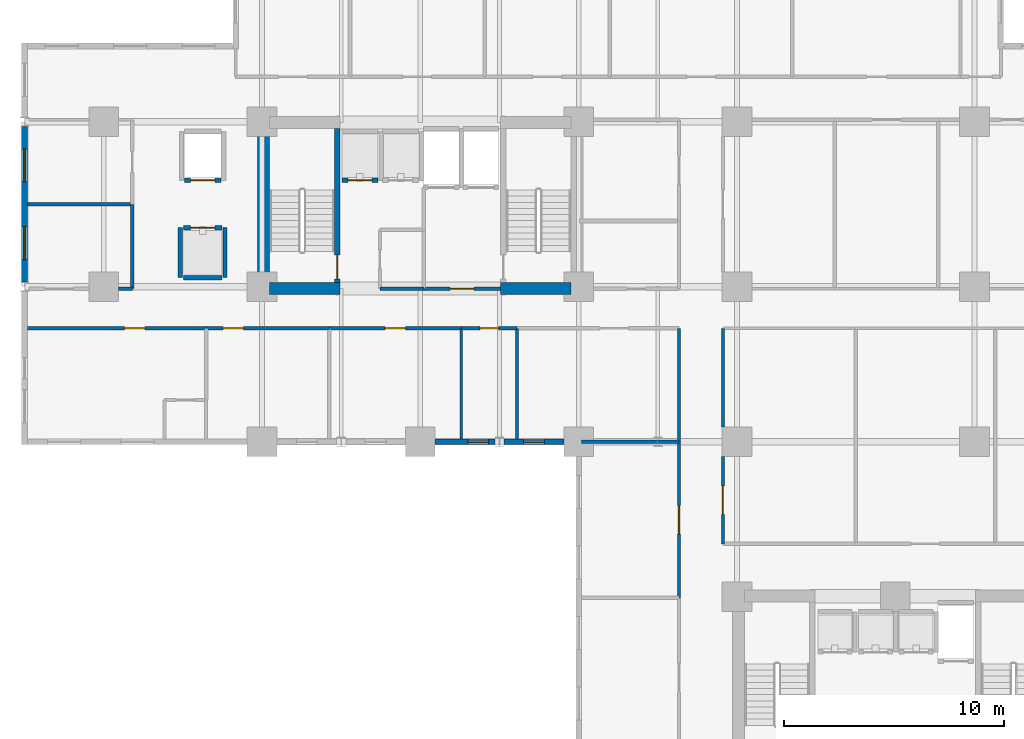
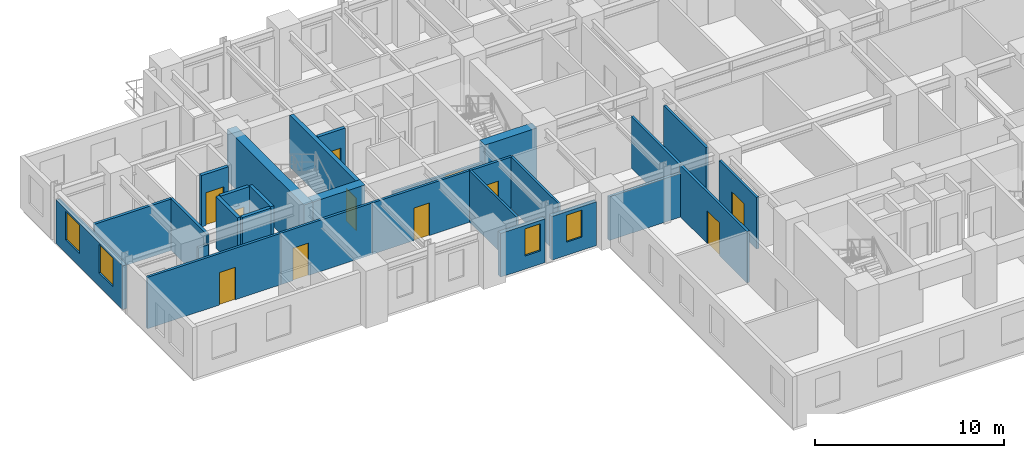
# One storey, part 3 of 12: 29 walls, 11 doors, 4 windows, 15 openings.
"""IFC4 building model written with IfcOpenShell, lengths in metres."""

from ifc_helpers import new_model, si_unit, direction, frame, frame_2d, origin, place, context, subcontext, project, spatial, rectangle, extrude, material, layer, layer_set, type_object, element, fill, save


model = new_model("IFC4")

# Units and contexts
model_context = context("Model", 3, precision=1e-05, world=origin(), true_north=direction((0.0, 1.0)))
body_context = subcontext(model_context, "Body", "Model", "MODEL_VIEW")
ifc_project = project(units=[si_unit("LENGTHUNIT", "METRE"), si_unit("AREAUNIT", "SQUARE_METRE"), si_unit("VOLUMEUNIT", "CUBIC_METRE"), si_unit("PLANEANGLEUNIT", "RADIAN"), si_unit("MASSUNIT", "GRAM", prefix="KILO")], contexts=[model_context])

# Site, building, storey
site_placement = place(None, origin())
site = spatial("IfcSite", under=ifc_project, at=site_placement, CompositionType="ELEMENT")
building_placement = place(site_placement, origin())
building = spatial("IfcBuilding", under=site, at=building_placement, Name="Kaliganga Portal Commons", CompositionType="ELEMENT")
storey_placement = place(building_placement, frame((0.0, 0.0, 69.699951171875)))
storey = spatial("IfcBuildingStorey", under=building, at=storey_placement, Name="L17", CompositionType="ELEMENT", Elevation=69.699951171875)

# Walls
ifc_material_1 = material(Name="Concrete C60/75", Category="concrete")
ifc_layer_1 = layer(ifc_material_1, 0.550048828125)
ifc_layer_set_1 = layer_set([ifc_layer_1], Name="Concrete C60/75")
wall_type_1 = type_object("IfcWallType", Name="WL-CORE-550", PredefinedType="SHEAR", material=ifc_layer_set_1)
wall_1_placement = place(storey_placement, frame((14.47509765625, 28.300048828125, 0.0), z_axis=(0.0, 0.0, 1.0), x_axis=(0.0, 1.0, 0.0)))
element("IfcWall", 1, at=wall_1_placement, inside=storey, type_object=wall_type_1, Name="Core A West Shear Wall L17", PredefinedType="SHEAR", context=body_context, shape_type="SweptSolid", body=[
    extrude(rectangle(XDim=8.099853515625, YDim=0.550048828125, at=frame_2d((4.0498046875, 0.0))), origin(), (0.0, 0.0, 1.0), 3.340087890625),
])
for number, where, z_axis, x_axis, name in (
    (2, (14.75, 28.574951171875, 0.0), (0.0, 0.0, 1.0), (1.0, 0.0, 0.0), "Core A S-West Shear Wall L17"),
    (3, (25.25, 28.574951171875, 0.0), (0.0, 0.0, 1.0), (1.0, 0.0, 0.0), "Core A S-East Shear Wall L17"),
):
    element("IfcWall", number, at=place(storey_placement, frame(where, z_axis=z_axis, x_axis=x_axis)), inside=storey, type_object=wall_type_1, Name=name, PredefinedType="SHEAR", context=body_context, shape_type="SweptSolid", body=[
        extrude(rectangle(XDim=3.199951171875, YDim=0.550048828125, at=frame_2d((1.60009765625, 0.0))), origin(), (0.0, 0.0, 1.0), 3.340087890625),
    ])

# Wall, openings, windows
ifc_material_2 = material(Name="Insulated Aluminium-Clad Spandrel Assembly", Category="aluminium")
ifc_layer_2 = layer(ifc_material_2, 0.260009765625)
ifc_layer_set_2 = layer_set([ifc_layer_2], Name="Insulated Aluminium-Clad Spandrel Assembly")
wall_type_2 = type_object("IfcWallType", Name="WL-EXT-SPAND-260", PredefinedType="STANDARD", material=ifc_layer_set_2)
wall_2_placement = place(storey_placement, frame((3.60009765625, 28.8740234375, 0.0), z_axis=(0.0, 0.0, 1.0), x_axis=(0.0, 1.0, 0.0)))
wall_2 = element("IfcWall", 4, at=wall_2_placement, inside=storey, type_object=wall_type_2, Name="Exterior Envelope Wall L17 P1-E09-S2", PredefinedType="STANDARD", context=body_context, shape_type="SweptSolid", body=[
    extrude(rectangle(XDim=7.052001953125, YDim=0.260009765625, at=frame_2d((3.52587890625, 0.0))), origin(), (0.0, 0.0, 1.0), 2.820068359375),
])
opening_1_placement = place(wall_2_placement, frame((1.012939453125, 0.0, 0.85009765625)))
opening_1 = element("IfcOpeningElement", 5, at=opening_1_placement, cuts=wall_2, Name="Opening W-02", PredefinedType="OPENING", context=body_context, shape_type="SweptSolid", body=[
    extrude(rectangle(XDim=1.5, YDim=1.85009765625, at=frame_2d((0.75, 0.925048828125))), frame((0.0, 0.14013671875, 0.0), z_axis=(0.0, -1.0, 0.0), x_axis=(1.0, 0.0, 0.0)), (0.0, 0.0, 1.0), 0.280029296875),
])
opening_2_placement = place(wall_2_placement, frame((4.5390625, 0.0, 0.85009765625)))
opening_2 = element("IfcOpeningElement", 6, at=opening_2_placement, cuts=wall_2, Name="Opening W-02", PredefinedType="OPENING", context=body_context, shape_type="SweptSolid", body=[
    extrude(rectangle(XDim=1.5, YDim=1.85009765625, at=frame_2d((0.75, 0.925048828125))), frame((0.0, 0.14013671875, 0.0), z_axis=(0.0, -1.0, 0.0), x_axis=(1.0, 0.0, 0.0)), (0.0, 0.0, 1.0), 0.280029296875),
])
ifc_material_3 = material(Name="Thermally Broken Aluminium and Low-E Double Glazing", Category="aluminium")
window_type_1 = type_object("IfcWindowType", Name="WIN-STD-1500", PartitioningType="DOUBLE_PANEL_VERTICAL", PredefinedType="WINDOW", material=ifc_material_3)
window_1_placement = place(opening_1_placement, origin())
window_1 = element("IfcWindow", 7, at=window_1_placement, inside=storey, type_object=window_type_1, Name="Facade Window L17-P1E09S2-00", OverallHeight=1.85009765625, OverallWidth=1.5, PartitioningType="SINGLE_PANEL", PredefinedType="WINDOW", context=body_context, shape_type="SweptSolid", body=[
    extrude(rectangle(XDim=1.5, YDim=1.85009765625, at=frame_2d((0.75, 0.925048828125))), frame((0.0, 0.030029296875, 0.0), z_axis=(0.0, -1.0, 0.0), x_axis=(1.0, 0.0, 0.0)), (0.0, 0.0, 1.0), 0.06005859375),
])
fill(opening_1, window_1)
window_2_placement = place(opening_2_placement, origin())
window_2 = element("IfcWindow", 8, at=window_2_placement, inside=storey, type_object=window_type_1, Name="Facade Window L17-P1E09S2-01", OverallHeight=1.85009765625, OverallWidth=1.5, PartitioningType="SINGLE_PANEL", PredefinedType="WINDOW", context=body_context, shape_type="SweptSolid", body=[
    extrude(rectangle(XDim=1.5, YDim=1.85009765625, at=frame_2d((0.75, 0.925048828125))), frame((0.0, 0.030029296875, 0.0), z_axis=(0.0, -1.0, 0.0), x_axis=(1.0, 0.0, 0.0)), (0.0, 0.0, 1.0), 0.06005859375),
])
fill(opening_2, window_2)

# Wall, opening, window
wall_3_placement = place(storey_placement, frame((24.990966796875, 21.60009765625, 0.0), z_axis=(0.0, 0.0, 1.0), x_axis=(-1.0, 0.0, 0.0)))
wall_3 = element("IfcWall", 9, at=wall_3_placement, inside=storey, type_object=wall_type_2, Name="Exterior Envelope Wall L17 P1-E10-S4", PredefinedType="STANDARD", context=body_context, shape_type="SweptSolid", body=[
    extrude(rectangle(XDim=2.715087890625, YDim=0.260009765625, at=frame_2d((1.357421875, 0.0))), origin(), (0.0, 0.0, 1.0), 2.820068359375),
])
opening_3_placement = place(wall_3_placement, frame((0.28515625, 0.0, 0.85009765625)))
opening_3 = element("IfcOpeningElement", 10, at=opening_3_placement, cuts=wall_3, Name="Opening W-04", PredefinedType="OPENING", context=body_context, shape_type="SweptSolid", body=[
    extrude(rectangle(XDim=0.949951171875, YDim=1.75, at=frame_2d((0.47509765625, 0.875))), frame((0.0, 0.14013671875, 0.0), z_axis=(0.0, -1.0, 0.0), x_axis=(1.0, 0.0, 0.0)), (0.0, 0.0, 1.0), 0.280029296875),
])
window_type_2 = type_object("IfcWindowType", Name="WIN-NARROW-950", PartitioningType="SINGLE_PANEL", PredefinedType="WINDOW", material=ifc_material_3)
window_3_placement = place(opening_3_placement, origin())
window_3 = element("IfcWindow", 11, at=window_3_placement, inside=storey, type_object=window_type_2, Name="Facade Window L17-P1E10S4-N3", OverallHeight=1.75, OverallWidth=0.949951171875, PartitioningType="SINGLE_PANEL", PredefinedType="WINDOW", context=body_context, shape_type="SweptSolid", body=[
    extrude(rectangle(XDim=0.949951171875, YDim=1.75, at=frame_2d((0.47509765625, 0.875))), frame((0.0, 0.030029296875, 0.0), z_axis=(0.0, -1.0, 0.0), x_axis=(1.0, 0.0, 0.0)), (0.0, 0.0, 1.0), 0.06005859375),
])
fill(opening_3, window_3)

wall_4_placement = place(storey_placement, frame((28.1240234375, 21.60009765625, 0.0), z_axis=(0.0, 0.0, 1.0), x_axis=(-1.0, 0.0, 0.0)))
wall_4 = element("IfcWall", 12, at=wall_4_placement, inside=storey, type_object=wall_type_2, Name="Exterior Envelope Wall L17 P1-E10-S5", PredefinedType="STANDARD", context=body_context, shape_type="SweptSolid", body=[
    extrude(rectangle(XDim=2.715087890625, YDim=0.260009765625, at=frame_2d((1.357421875, 0.0))), origin(), (0.0, 0.0, 1.0), 2.820068359375),
])
opening_4_placement = place(wall_4_placement, frame((0.882568359375, 0.0, 0.85009765625)))
opening_4 = element("IfcOpeningElement", 13, at=opening_4_placement, cuts=wall_4, Name="Opening W-04", PredefinedType="OPENING", context=body_context, shape_type="SweptSolid", body=[
    extrude(rectangle(XDim=0.949951171875, YDim=1.75, at=frame_2d((0.47509765625, 0.875))), frame((0.0, 0.14013671875, 0.0), z_axis=(0.0, -1.0, 0.0), x_axis=(1.0, 0.0, 0.0)), (0.0, 0.0, 1.0), 0.280029296875),
])
window_4_placement = place(opening_4_placement, origin())
window_4 = element("IfcWindow", 14, at=window_4_placement, inside=storey, type_object=window_type_2, Name="Facade Window L17-P1E10S5-00", OverallHeight=1.75, OverallWidth=0.949951171875, PartitioningType="SINGLE_PANEL", PredefinedType="WINDOW", context=body_context, shape_type="SweptSolid", body=[
    extrude(rectangle(XDim=0.949951171875, YDim=1.75, at=frame_2d((0.47509765625, 0.875))), frame((0.0, 0.030029296875, 0.0), z_axis=(0.0, -1.0, 0.0), x_axis=(1.0, 0.0, 0.0)), (0.0, 0.0, 1.0), 0.06005859375),
])
fill(opening_4, window_4)

# Wall, opening, door
ifc_material_4 = material(Name="Fire-Rated Gypsum Board on Steel Stud", Category="steel")
ifc_layer_3 = layer(ifc_material_4, 0.14990234375)
ifc_layer_set_3 = layer_set([ifc_layer_3], Name="Fire-Rated Gypsum Board on Steel Stud")
wall_type_3 = type_object("IfcWallType", Name="WL-PART-CORR-150", PredefinedType="PARTITIONING", material=ifc_layer_set_3)
wall_5_placement = place(storey_placement, frame((35.360107421875, 16.9599609375, 0.0), z_axis=(0.0, 0.0, 1.0), x_axis=(0.0, 1.0, 0.0)))
wall_5 = element("IfcWall", 15, at=wall_5_placement, inside=storey, type_object=wall_type_3, Name="Interior Partition L17-004", PredefinedType="PARTITIONING", context=body_context, shape_type="SweptSolid", body=[
    extrude(rectangle(XDim=3.965087890625, YDim=0.14990234375, at=frame_2d((1.982421875, 0.0))), origin(), (0.0, 0.0, 1.0), 3.320068359375),
])
opening_5_placement = place(wall_5_placement, frame((1.33251953125, 0.0, 0.0)))
opening_5 = element("IfcOpeningElement", 16, at=opening_5_placement, cuts=wall_5, Name="Opening RD-03", PredefinedType="OPENING", context=body_context, shape_type="SweptSolid", body=[
    extrude(rectangle(XDim=1.300048828125, YDim=2.1201171875, at=frame_2d((0.64990234375, 1.06005859375))), frame((0.0, 0.0849609375, 0.0), z_axis=(0.0, -1.0, 0.0), x_axis=(1.0, 0.0, 0.0)), (0.0, 0.0, 1.0), 0.169921875),
])
ifc_material_5 = material(Name="Glazed Timber Seminar Vision Door", Category="wood")
door_type_1 = type_object("IfcDoorType", Name="DR-STUDY-1300", OperationType="DOUBLE_DOOR_SINGLE_SWING", PredefinedType="DOOR", material=ifc_material_5)
door_1_placement = place(opening_5_placement, origin())
door_1 = element("IfcDoor", 17, at=door_1_placement, inside=storey, type_object=door_type_1, Name="Interior Door L17-BM01", OperationType="DOUBLE_DOOR_SINGLE_SWING", OverallHeight=2.1201171875, OverallWidth=1.300048828125, PredefinedType="DOOR", context=body_context, shape_type="SweptSolid", body=[
    extrude(rectangle(XDim=1.300048828125, YDim=2.1201171875, at=frame_2d((0.64990234375, 1.06005859375))), frame((0.0, 0.02490234375, 0.0), z_axis=(0.0, -1.0, 0.0), x_axis=(1.0, 0.0, 0.0)), (0.0, 0.0, 1.0), 0.050048828125),
])
fill(opening_5, door_1)

# Wall
wall_6_placement = place(storey_placement, frame((35.360107421875, 22.27490234375, 0.0), z_axis=(0.0, 0.0, 1.0), x_axis=(0.0, 1.0, 0.0)))
element("IfcWall", 18, at=wall_6_placement, inside=storey, type_object=wall_type_3, Name="Interior Partition L17-005", PredefinedType="PARTITIONING", context=body_context, shape_type="SweptSolid", body=[
    extrude(rectangle(XDim=4.485107421875, YDim=0.14990234375, at=frame_2d((2.24267578125, 0.0))), origin(), (0.0, 0.0, 1.0), 3.320068359375),
])

# Wall, opening, door
wall_7_placement = place(storey_placement, frame((3.73193359375, 26.760009765625, 0.0), z_axis=(0.0, 0.0, 1.0), x_axis=(1.0, 0.0, 0.0)))
wall_7 = element("IfcWall", 19, at=wall_7_placement, inside=storey, type_object=wall_type_3, Name="Interior Partition L17-007", PredefinedType="PARTITIONING", context=body_context, shape_type="SweptSolid", body=[
    extrude(rectangle(XDim=8.128173828125, YDim=0.14990234375, at=frame_2d((4.06396484375, 0.0))), origin(), (0.0, 0.0, 1.0), 3.320068359375),
])
opening_6_placement = place(wall_7_placement, frame((4.40185546875, 0.0, 0.0)))
opening_6 = element("IfcOpeningElement", 20, at=opening_6_placement, cuts=wall_7, Name="Opening UD-01", PredefinedType="OPENING", context=body_context, shape_type="SweptSolid", body=[
    extrude(rectangle(XDim=0.949951171875, YDim=2.10009765625, at=frame_2d((0.47509765625, 1.050048828125))), frame((0.0, 0.0849609375, 0.0), z_axis=(0.0, -1.0, 0.0), x_axis=(1.0, 0.0, 0.0)), (0.0, 0.0, 1.0), 0.169921875),
])
ifc_material_6 = material(Name="Solid-Core Timber Acoustic Fire Door", Category="wood")
door_type_2 = type_object("IfcDoorType", Name="DR-UNIT-950", OperationType="NOTDEFINED", PredefinedType="DOOR", material=ifc_material_6)
door_2_placement = place(opening_6_placement, origin())
door_2 = element("IfcDoor", 21, at=door_2_placement, inside=storey, type_object=door_type_2, Name="Interior Door L17-AS01", OperationType="SINGLE_SWING_LEFT", OverallHeight=2.10009765625, OverallWidth=0.949951171875, PredefinedType="DOOR", context=body_context, shape_type="SweptSolid", body=[
    extrude(rectangle(XDim=0.949951171875, YDim=2.10009765625, at=frame_2d((0.47509765625, 1.050048828125))), frame((0.0, 0.02490234375, 0.0), z_axis=(0.0, -1.0, 0.0), x_axis=(1.0, 0.0, 0.0)), (0.0, 0.0, 1.0), 0.050048828125),
])
fill(opening_6, door_2)

wall_8_placement = place(storey_placement, frame((33.360107421875, 14.5, 0.0), z_axis=(0.0, 0.0, 1.0), x_axis=(0.0, 1.0, 0.0)))
wall_8 = element("IfcWall", 22, at=wall_8_placement, inside=storey, type_object=wall_type_3, Name="Interior Partition L17-014", PredefinedType="PARTITIONING", context=body_context, shape_type="SweptSolid", body=[
    extrude(rectangle(XDim=7.10009765625, YDim=0.14990234375, at=frame_2d((3.550048828125, 0.0))), origin(), (0.0, 0.0, 1.0), 3.320068359375),
])
opening_7_placement = place(wall_8_placement, frame((2.89990234375, 0.0, 0.0)))
opening_7 = element("IfcOpeningElement", 23, at=opening_7_placement, cuts=wall_8, Name="Opening RD-03", PredefinedType="OPENING", context=body_context, shape_type="SweptSolid", body=[
    extrude(rectangle(XDim=1.300048828125, YDim=2.1201171875, at=frame_2d((0.64990234375, 1.06005859375))), frame((0.0, 0.0849609375, 0.0), z_axis=(0.0, -1.0, 0.0), x_axis=(1.0, 0.0, 0.0)), (0.0, 0.0, 1.0), 0.169921875),
])
door_3_placement = place(opening_7_placement, origin())
door_3 = element("IfcDoor", 24, at=door_3_placement, inside=storey, type_object=door_type_1, Name="Interior Door L17-KW02", OperationType="DOUBLE_DOOR_SINGLE_SWING", OverallHeight=2.1201171875, OverallWidth=1.300048828125, PredefinedType="DOOR", context=body_context, shape_type="SweptSolid", body=[
    extrude(rectangle(XDim=1.300048828125, YDim=2.1201171875, at=frame_2d((0.64990234375, 1.06005859375))), frame((0.0, 0.02490234375, 0.0), z_axis=(0.0, -1.0, 0.0), x_axis=(1.0, 0.0, 0.0)), (0.0, 0.0, 1.0), 0.050048828125),
])
fill(opening_7, door_3)

wall_9_placement = place(storey_placement, frame((17.4599609375, 26.760009765625, 0.0), z_axis=(0.0, 0.0, 1.0), x_axis=(1.0, 0.0, 0.0)))
wall_9 = element("IfcWall", 25, at=wall_9_placement, inside=storey, type_object=wall_type_3, Name="Interior Partition L17-022", PredefinedType="PARTITIONING", context=body_context, shape_type="SweptSolid", body=[
    extrude(rectangle(XDim=6.0, YDim=0.14990234375, at=frame_2d((3.0, 0.0))), origin(), (0.0, 0.0, 1.0), 3.320068359375),
])
opening_8_placement = place(wall_9_placement, frame((2.52490234375, 0.0, 0.0)))
opening_8 = element("IfcOpeningElement", 26, at=opening_8_placement, cuts=wall_9, Name="Opening UD-01", PredefinedType="OPENING", context=body_context, shape_type="SweptSolid", body=[
    extrude(rectangle(XDim=0.949951171875, YDim=2.10009765625, at=frame_2d((0.47509765625, 1.050048828125))), frame((0.0, 0.0849609375, 0.0), z_axis=(0.0, -1.0, 0.0), x_axis=(1.0, 0.0, 0.0)), (0.0, 0.0, 1.0), 0.169921875),
])
door_4_placement = place(opening_8_placement, origin())
door_4 = element("IfcDoor", 27, at=door_4_placement, inside=storey, type_object=door_type_2, Name="Interior Door L17-AS03", OperationType="SINGLE_SWING_LEFT", OverallHeight=2.10009765625, OverallWidth=0.949951171875, PredefinedType="DOOR", context=body_context, shape_type="SweptSolid", body=[
    extrude(rectangle(XDim=0.949951171875, YDim=2.10009765625, at=frame_2d((0.47509765625, 1.050048828125))), frame((0.0, 0.02490234375, 0.0), z_axis=(0.0, -1.0, 0.0), x_axis=(1.0, 0.0, 0.0)), (0.0, 0.0, 1.0), 0.050048828125),
])
fill(opening_8, door_4)

wall_10_placement = place(storey_placement, frame((11.860107421875, 26.760009765625, 0.0), z_axis=(0.0, 0.0, 1.0), x_axis=(1.0, 0.0, 0.0)))
wall_10 = element("IfcWall", 28, at=wall_10_placement, inside=storey, type_object=wall_type_3, Name="Interior Partition L17-025", PredefinedType="PARTITIONING", context=body_context, shape_type="SweptSolid", body=[
    extrude(rectangle(XDim=5.599853515625, YDim=0.14990234375, at=frame_2d((2.7998046875, 0.0))), origin(), (0.0, 0.0, 1.0), 3.320068359375),
])
opening_9_placement = place(wall_10_placement, frame((0.757080078125, 0.0, 0.0)))
opening_9 = element("IfcOpeningElement", 29, at=opening_9_placement, cuts=wall_10, Name="Opening UD-01", PredefinedType="OPENING", context=body_context, shape_type="SweptSolid", body=[
    extrude(rectangle(XDim=0.949951171875, YDim=2.10009765625, at=frame_2d((0.47509765625, 1.050048828125))), frame((0.0, 0.0849609375, 0.0), z_axis=(0.0, -1.0, 0.0), x_axis=(1.0, 0.0, 0.0)), (0.0, 0.0, 1.0), 0.169921875),
])
door_5_placement = place(opening_9_placement, origin())
door_5 = element("IfcDoor", 30, at=door_5_placement, inside=storey, type_object=door_type_2, Name="Interior Door L17-AS02", OperationType="SINGLE_SWING_RIGHT", OverallHeight=2.10009765625, OverallWidth=0.949951171875, PredefinedType="DOOR", context=body_context, shape_type="SweptSolid", body=[
    extrude(rectangle(XDim=0.949951171875, YDim=2.10009765625, at=frame_2d((0.47509765625, 1.050048828125))), frame((0.0, 0.02490234375, 0.0), z_axis=(0.0, -1.0, 0.0), x_axis=(1.0, 0.0, 0.0)), (0.0, 0.0, 1.0), 0.050048828125),
])
fill(opening_9, door_5)

# Walls
wall_11_placement = place(storey_placement, frame((33.360107421875, 21.60009765625, 0.0), z_axis=(0.0, 0.0, 1.0), x_axis=(0.0, 1.0, 0.0)))
element("IfcWall", 31, at=wall_11_placement, inside=storey, type_object=wall_type_3, Name="Interior Partition L17-027", PredefinedType="PARTITIONING", context=body_context, shape_type="SweptSolid", body=[
    extrude(rectangle(XDim=5.159912109375, YDim=0.14990234375, at=frame_2d((2.580078125, 0.0))), origin(), (0.0, 0.0, 1.0), 3.320068359375),
])
wall_12_placement = place(storey_placement, frame((7.875, 28.56005859375, 0.0), z_axis=(0.0, 0.0, 1.0), x_axis=(1.0, 0.0, 0.0)))
element("IfcWall", 32, at=wall_12_placement, inside=storey, type_object=wall_type_3, Name="Interior Partition L17-030", PredefinedType="PARTITIONING", context=body_context, shape_type="SweptSolid", body=[
    extrude(rectangle(XDim=0.625, YDim=0.14990234375, at=frame_2d((0.3125, 0.0))), origin(), (0.0, 0.0, 1.0), 2.670166015625),
])
wall_13_placement = place(storey_placement, frame((8.5, 28.56005859375, 0.0), z_axis=(0.0, 0.0, 1.0), x_axis=(0.0, 1.0, 0.0)))
element("IfcWall", 33, at=wall_13_placement, inside=storey, type_object=wall_type_3, Name="Interior Partition L17-040", PredefinedType="PARTITIONING", context=body_context, shape_type="SweptSolid", body=[
    extrude(rectangle(XDim=3.83984375, YDim=0.14990234375, at=frame_2d((1.919921875, 0.0))), origin(), (0.0, 0.0, 1.0), 3.320068359375),
])

# Wall, opening, door
wall_14_placement = place(storey_placement, frame((23.4599609375, 26.760009765625, 0.0), z_axis=(0.0, 0.0, 1.0), x_axis=(1.0, 0.0, 0.0)))
wall_14 = element("IfcWall", 34, at=wall_14_placement, inside=storey, type_object=wall_type_3, Name="Interior Partition L17-044", PredefinedType="PARTITIONING", context=body_context, shape_type="SweptSolid", body=[
    extrude(rectangle(XDim=2.5400390625, YDim=0.14990234375, at=frame_2d((1.27001953125, 0.0))), origin(), (0.0, 0.0, 1.0), 3.320068359375),
])
opening_10_placement = place(wall_14_placement, frame((0.844970703125, 0.0, 0.0)))
opening_10 = element("IfcOpeningElement", 35, at=opening_10_placement, cuts=wall_14, Name="Opening WD-01", PredefinedType="OPENING", context=body_context, shape_type="SweptSolid", body=[
    extrude(rectangle(XDim=0.85009765625, YDim=2.0400390625, at=frame_2d((0.425048828125, 1.02001953125))), frame((0.0, 0.0849609375, 0.0), z_axis=(0.0, -1.0, 0.0), x_axis=(1.0, 0.0, 0.0)), (0.0, 0.0, 1.0), 0.169921875),
])
ifc_material_7 = material(Name="Moisture-Resistant Laminate Timber Door", Category="wood")
door_type_3 = type_object("IfcDoorType", Name="DR-WET-850", OperationType="NOTDEFINED", PredefinedType="DOOR", material=ifc_material_7)
door_6_placement = place(opening_10_placement, origin())
door_6 = element("IfcDoor", 36, at=door_6_placement, inside=storey, type_object=door_type_3, Name="Interior Door L17-AS04", OperationType="SINGLE_SWING_LEFT", OverallHeight=2.0400390625, OverallWidth=0.85009765625, PredefinedType="DOOR", context=body_context, shape_type="SweptSolid", body=[
    extrude(rectangle(XDim=0.85009765625, YDim=2.0400390625, at=frame_2d((0.425048828125, 1.02001953125))), frame((0.0, 0.02490234375, 0.0), z_axis=(0.0, -1.0, 0.0), x_axis=(1.0, 0.0, 0.0)), (0.0, 0.0, 1.0), 0.050048828125),
])
fill(opening_10, door_6)

# Wall
wall_15_placement = place(storey_placement, frame((19.760009765625, 28.56005859375, 0.0), z_axis=(0.0, 0.0, 1.0), x_axis=(1.0, 0.0, 0.0)))
element("IfcWall", 37, at=wall_15_placement, inside=storey, type_object=wall_type_3, Name="Interior Partition L17-045", PredefinedType="PARTITIONING", context=body_context, shape_type="SweptSolid", body=[
    extrude(rectangle(XDim=2.0, YDim=0.14990234375, at=frame_2d((1.0, 0.0))), origin(), (0.0, 0.0, 1.0), 2.1201171875),
])

# Wall, opening, door
wall_16_placement = place(storey_placement, frame((21.760009765625, 28.56005859375, 0.0), z_axis=(0.0, 0.0, 1.0), x_axis=(1.0, 0.0, 0.0)))
wall_16 = element("IfcWall", 38, at=wall_16_placement, inside=storey, type_object=wall_type_3, Name="Interior Partition L17-080", PredefinedType="PARTITIONING", context=body_context, shape_type="SweptSolid", body=[
    extrude(rectangle(XDim=3.47998046875, YDim=0.14990234375, at=frame_2d((1.739990234375, 0.0))), origin(), (0.0, 0.0, 1.0), 2.1201171875),
])
opening_11_placement = place(wall_16_placement, frame((1.18994140625, 0.0, 0.0)))
opening_11 = element("IfcOpeningElement", 39, at=opening_11_placement, cuts=wall_16, Name="Opening SD-01", PredefinedType="OPENING", context=body_context, shape_type="SweptSolid", body=[
    extrude(rectangle(XDim=1.10009765625, YDim=2.080078125, at=frame_2d((0.550048828125, 1.0400390625))), frame((0.0, 0.0849609375, 0.0), z_axis=(0.0, -1.0, 0.0), x_axis=(1.0, 0.0, 0.0)), (0.0, 0.0, 1.0), 0.169921875),
])
ifc_material_8 = material(Name="Galvanized Steel Fire Door Leaf and Frame", Category="steel")
door_type_4 = type_object("IfcDoorType", Name="DR-STAIR-1100", OperationType="NOTDEFINED", PredefinedType="DOOR", material=ifc_material_8)
door_7_placement = place(opening_11_placement, origin())
door_7 = element("IfcDoor", 40, at=door_7_placement, inside=storey, type_object=door_type_4, Name="Interior Door L17-FFLOB_A", OperationType="SINGLE_SWING_LEFT", OverallHeight=2.080078125, OverallWidth=1.10009765625, PredefinedType="DOOR", context=body_context, shape_type="SweptSolid", body=[
    extrude(rectangle(XDim=1.10009765625, YDim=2.080078125, at=frame_2d((0.550048828125, 1.0400390625))), frame((0.0, 0.02490234375, 0.0), z_axis=(0.0, -1.0, 0.0), x_axis=(1.0, 0.0, 0.0)), (0.0, 0.0, 1.0), 0.050048828125),
])
fill(opening_11, door_7)

# Walls
ifc_material_9 = material(Name="Twin-Stud Acoustic Gypsum Partition", Category="gypsum")
ifc_layer_4 = layer(ifc_material_9, 0.1650390625)
ifc_layer_set_4 = layer_set([ifc_layer_4], Name="Twin-Stud Acoustic Gypsum Partition")
wall_type_4 = type_object("IfcWallType", Name="WL-PART-UNIT-165", PredefinedType="PARTITIONING", material=ifc_layer_set_4)
wall_17_placement = place(storey_placement, frame((3.73193359375, 32.39990234375, 0.0), z_axis=(0.0, 0.0, 1.0), x_axis=(1.0, 0.0, 0.0)))
element("IfcWall", 41, at=wall_17_placement, inside=storey, type_object=wall_type_4, Name="Interior Partition L17-070", PredefinedType="PARTITIONING", context=body_context, shape_type="SweptSolid", body=[
    extrude(rectangle(XDim=4.76806640625, YDim=0.1650390625, at=frame_2d((2.384033203125, 0.0))), origin(), (0.0, 0.0, 1.0), 3.320068359375),
])
wall_18_placement = place(storey_placement, frame((28.931884765625, 21.60009765625, 0.0), z_axis=(0.0, 0.0, 1.0), x_axis=(1.0, 0.0, 0.0)))
element("IfcWall", 42, at=wall_18_placement, inside=storey, type_object=wall_type_4, Name="Interior Partition L17-075", PredefinedType="PARTITIONING", context=body_context, shape_type="SweptSolid", body=[
    extrude(rectangle(XDim=4.42822265625, YDim=0.1650390625, at=frame_2d((2.214111328125, 0.0))), origin(), (0.0, 0.0, 1.0), 2.820068359375),
])
ifc_material_10 = material(Name="Cement-Board Wet-Room Partition", Category="gypsum")
ifc_layer_5 = layer(ifc_material_10, 0.135009765625)
ifc_layer_set_5 = layer_set([ifc_layer_5], Name="Cement-Board Wet-Room Partition")
wall_type_5 = type_object("IfcWallType", Name="WL-PART-WET-135", PredefinedType="PARTITIONING", material=ifc_layer_set_5)
for number, where, z_axis, x_axis, name in (
    (43, (23.4599609375, 21.73193359375, 0.0), (0.0, 0.0, 1.0), (0.0, 1.0, 0.0), "Interior Partition L17-060"),
    (44, (26.0, 21.73193359375, 0.0), (0.0, 0.0, 1.0), (0.0, 1.0, 0.0), "Interior Partition L17-061"),
):
    element("IfcWall", number, at=place(storey_placement, frame(where, z_axis=z_axis, x_axis=x_axis)), inside=storey, type_object=wall_type_5, Name=name, PredefinedType="PARTITIONING", context=body_context, shape_type="SweptSolid", body=[
        extrude(rectangle(XDim=5.028076171875, YDim=0.135009765625, at=frame_2d((2.51416015625, 0.0))), origin(), (0.0, 0.0, 1.0), 3.320068359375),
    ])

# Wall, opening, door
ifc_material_11 = material(Name="Fire-Rated Shaftwall Masonry Assembly", Category="masonry")
ifc_layer_6 = layer(ifc_material_11, 0.199951171875)
ifc_layer_set_6 = layer_set([ifc_layer_6], Name="Fire-Rated Shaftwall Masonry Assembly")
wall_type_6 = type_object("IfcWallType", Name="WL-SHAFT-200", PredefinedType="PARTITIONING", material=ifc_layer_set_6)
wall_19_placement = place(storey_placement, frame((18.02490234375, 33.485107421875, 0.0), z_axis=(0.0, 0.0, 1.0), x_axis=(1.0, 0.0, 0.0)))
wall_19 = element("IfcWall", 45, at=wall_19_placement, inside=storey, type_object=wall_type_6, Name="Lift PL-A1 Hoistway Shaft Wall L17-S", PredefinedType="PARTITIONING", context=body_context, shape_type="SweptSolid", body=[
    extrude(rectangle(XDim=1.650146484375, YDim=0.199951171875, at=frame_2d((0.8251953125, 0.0))), origin(), (0.0, 0.0, 1.0), 3.320068359375),
])
opening_12_placement = place(wall_19_placement, frame((0.27490234375, 0.0, 0.0)))
opening_12 = element("IfcOpeningElement", 46, at=opening_12_placement, cuts=wall_19, Name="Opening LD-01", PredefinedType="OPENING", context=body_context, shape_type="SweptSolid", body=[
    extrude(rectangle(XDim=1.10009765625, YDim=2.1201171875, at=frame_2d((0.550048828125, 1.06005859375))), frame((0.0, 0.10986328125, 0.0), z_axis=(0.0, -1.0, 0.0), x_axis=(1.0, 0.0, 0.0)), (0.0, 0.0, 1.0), 0.219970703125),
])
ifc_material_12 = material(Name="Brushed Stainless Steel 316 Lift Landing Door", Category="steel")
door_type_5 = type_object("IfcDoorType", Name="DR-LIFT-1100", OperationType="SLIDING_TO_LEFT", PredefinedType="DOOR", material=ifc_material_12)
door_8_placement = place(opening_12_placement, origin())
door_8 = element("IfcDoor", 47, at=door_8_placement, inside=storey, type_object=door_type_5, Name="Lift PL-A1 Sliding Landing Door L17", OperationType="SLIDING_TO_LEFT", OverallHeight=2.1201171875, OverallWidth=1.10009765625, PredefinedType="DOOR", context=body_context, shape_type="SweptSolid", body=[
    extrude(rectangle(XDim=1.10009765625, YDim=2.1201171875, at=frame_2d((0.550048828125, 1.06005859375))), frame((0.0, 0.02490234375, 0.0), z_axis=(0.0, -1.0, 0.0), x_axis=(1.0, 0.0, 0.0)), (0.0, 0.0, 1.0), 0.050048828125),
])
fill(opening_12, door_8)

# Wall
wall_20_placement = place(storey_placement, frame((10.824951171875, 29.06005859375, 0.0), z_axis=(0.0, 0.0, 1.0), x_axis=(1.0, 0.0, 0.0)))
element("IfcWall", 48, at=wall_20_placement, inside=storey, type_object=wall_type_6, Name="Lift SH-1 Hoistway Shaft Wall L17-S", PredefinedType="PARTITIONING", context=body_context, shape_type="SweptSolid", body=[
    extrude(rectangle(XDim=1.75, YDim=0.199951171875, at=frame_2d((0.875, 0.0))), origin(), (0.0, 0.0, 1.0), 3.320068359375),
])

# Wall, opening, door
wall_21_placement = place(storey_placement, frame((10.824951171875, 31.340087890625, 0.0), z_axis=(0.0, 0.0, 1.0), x_axis=(1.0, 0.0, 0.0)))
wall_21 = element("IfcWall", 49, at=wall_21_placement, inside=storey, type_object=wall_type_6, Name="Lift SH-1 Hoistway Shaft Wall L17-N", PredefinedType="PARTITIONING", context=body_context, shape_type="SweptSolid", body=[
    extrude(rectangle(XDim=1.75, YDim=0.199951171875, at=frame_2d((0.875, 0.0))), origin(), (0.0, 0.0, 1.0), 3.320068359375),
])
opening_13_placement = place(wall_21_placement, frame((0.324951171875, 0.0, 0.0)))
opening_13 = element("IfcOpeningElement", 50, at=opening_13_placement, cuts=wall_21, Name="Opening LD-01", PredefinedType="OPENING", context=body_context, shape_type="SweptSolid", body=[
    extrude(rectangle(XDim=1.10009765625, YDim=2.1201171875, at=frame_2d((0.550048828125, 1.06005859375))), frame((0.0, 0.10986328125, 0.0), z_axis=(0.0, -1.0, 0.0), x_axis=(1.0, 0.0, 0.0)), (0.0, 0.0, 1.0), 0.219970703125),
])
door_9_placement = place(opening_13_placement, origin())
door_9 = element("IfcDoor", 51, at=door_9_placement, inside=storey, type_object=door_type_5, Name="Lift SH-1 Sliding Landing Door L17", OperationType="SLIDING_TO_LEFT", OverallHeight=2.1201171875, OverallWidth=1.10009765625, PredefinedType="DOOR", context=body_context, shape_type="SweptSolid", body=[
    extrude(rectangle(XDim=1.10009765625, YDim=2.1201171875, at=frame_2d((0.550048828125, 1.06005859375))), frame((0.0, 0.02490234375, 0.0), z_axis=(0.0, -1.0, 0.0), x_axis=(1.0, 0.0, 0.0)), (0.0, 0.0, 1.0), 0.050048828125),
])
fill(opening_13, door_9)

# Walls
for number, where, z_axis, x_axis, name in (
    (52, (10.68505859375, 29.06005859375, 0.0), (0.0, 0.0, 1.0), (0.0, 1.0, 0.0), "Lift SH-1 Hoistway Shaft Wall L17-W"),
    (53, (12.715087890625, 29.06005859375, 0.0), (0.0, 0.0, 1.0), (0.0, 1.0, 0.0), "Lift SH-1 Hoistway Shaft Wall L17-E"),
):
    element("IfcWall", number, at=place(storey_placement, frame(where, z_axis=z_axis, x_axis=x_axis)), inside=storey, type_object=wall_type_6, Name=name, PredefinedType="PARTITIONING", context=body_context, shape_type="SweptSolid", body=[
        extrude(rectangle(XDim=2.280029296875, YDim=0.199951171875, at=frame_2d((1.14013671875, 0.0))), origin(), (0.0, 0.0, 1.0), 3.320068359375),
    ])

# Wall, opening, door
wall_22_placement = place(storey_placement, frame((10.875, 33.485107421875, 0.0), z_axis=(0.0, 0.0, 1.0), x_axis=(1.0, 0.0, 0.0)))
wall_22 = element("IfcWall", 54, at=wall_22_placement, inside=storey, type_object=wall_type_6, Name="Lift PL-OBS Hoistway Shaft Wall L17-S", PredefinedType="PARTITIONING", context=body_context, shape_type="SweptSolid", body=[
    extrude(rectangle(XDim=1.64990234375, YDim=0.199951171875, at=frame_2d((0.824951171875, 0.0))), origin(), (0.0, 0.0, 1.0), 3.320068359375),
])
opening_14_placement = place(wall_22_placement, frame((0.27490234375, 0.0, 0.0)))
opening_14 = element("IfcOpeningElement", 55, at=opening_14_placement, cuts=wall_22, Name="Opening LD-01", PredefinedType="OPENING", context=body_context, shape_type="SweptSolid", body=[
    extrude(rectangle(XDim=1.10009765625, YDim=2.1201171875, at=frame_2d((0.550048828125, 1.06005859375))), frame((0.0, 0.10986328125, 0.0), z_axis=(0.0, -1.0, 0.0), x_axis=(1.0, 0.0, 0.0)), (0.0, 0.0, 1.0), 0.219970703125),
])
door_10_placement = place(opening_14_placement, origin())
door_10 = element("IfcDoor", 56, at=door_10_placement, inside=storey, type_object=door_type_5, Name="Lift PL-OBS Sliding Landing Door L17", OperationType="SLIDING_TO_LEFT", OverallHeight=2.1201171875, OverallWidth=1.10009765625, PredefinedType="DOOR", context=body_context, shape_type="SweptSolid", body=[
    extrude(rectangle(XDim=1.10009765625, YDim=2.1201171875, at=frame_2d((0.550048828125, 1.06005859375))), frame((0.0, 0.02490234375, 0.0), z_axis=(0.0, -1.0, 0.0), x_axis=(1.0, 0.0, 0.0)), (0.0, 0.0, 1.0), 0.050048828125),
])
fill(opening_14, door_10)

ifc_material_13 = material(Name="Concrete C50/60", Category="concrete")
ifc_layer_7 = layer(ifc_material_13, 0.25)
ifc_layer_set_7 = layer_set([ifc_layer_7], Name="Concrete C50/60")
wall_type_7 = type_object("IfcWallType", Name="WL-STAIR-250", PredefinedType="SHEAR", material=ifc_layer_set_7)
wall_23_placement = place(storey_placement, frame((17.824951171875, 28.85009765625, 0.0), z_axis=(0.0, 0.0, 1.0), x_axis=(0.0, 1.0, 0.0)))
wall_23 = element("IfcWall", 57, at=wall_23_placement, inside=storey, type_object=wall_type_7, Name="Stair A1 Enclosure Shear Wall L17", PredefinedType="SHEAR", context=body_context, shape_type="SweptSolid", body=[
    extrude(rectangle(XDim=7.0, YDim=0.25, at=frame_2d((3.5, 0.0))), origin(), (0.0, 0.0, 1.0), 3.340087890625),
])
opening_15_placement = place(wall_23_placement, frame((0.14990234375, 0.0, 0.0)))
opening_15 = element("IfcOpeningElement", 58, at=opening_15_placement, cuts=wall_23, Name="Opening SD-01", PredefinedType="OPENING", context=body_context, shape_type="SweptSolid", body=[
    extrude(rectangle(XDim=1.10009765625, YDim=2.080078125, at=frame_2d((0.550048828125, 1.0400390625))), frame((0.0, 0.135009765625, 0.0), z_axis=(0.0, -1.0, 0.0), x_axis=(1.0, 0.0, 0.0)), (0.0, 0.0, 1.0), 0.27001953125),
])
door_11_placement = place(opening_15_placement, origin())
door_11 = element("IfcDoor", 59, at=door_11_placement, inside=storey, type_object=door_type_4, Name="Protected Stair ST-A1 Fire Door L17", OperationType="SINGLE_SWING_LEFT", OverallHeight=2.080078125, OverallWidth=1.10009765625, PredefinedType="DOOR", context=body_context, shape_type="SweptSolid", body=[
    extrude(rectangle(XDim=1.10009765625, YDim=2.080078125, at=frame_2d((0.550048828125, 1.0400390625))), frame((0.0, 0.02490234375, 0.0), z_axis=(0.0, -1.0, 0.0), x_axis=(1.0, 0.0, 0.0)), (0.0, 0.0, 1.0), 0.050048828125),
])
fill(opening_15, door_11)

save(model, "model.ifc")
